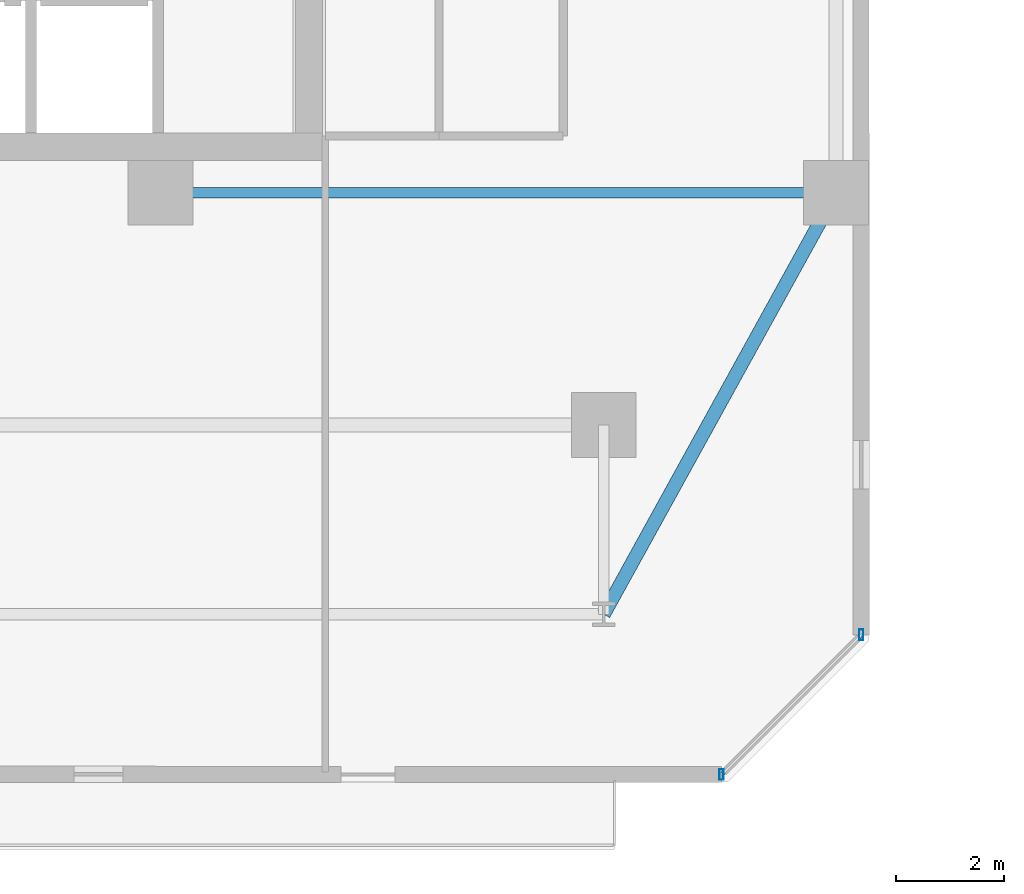
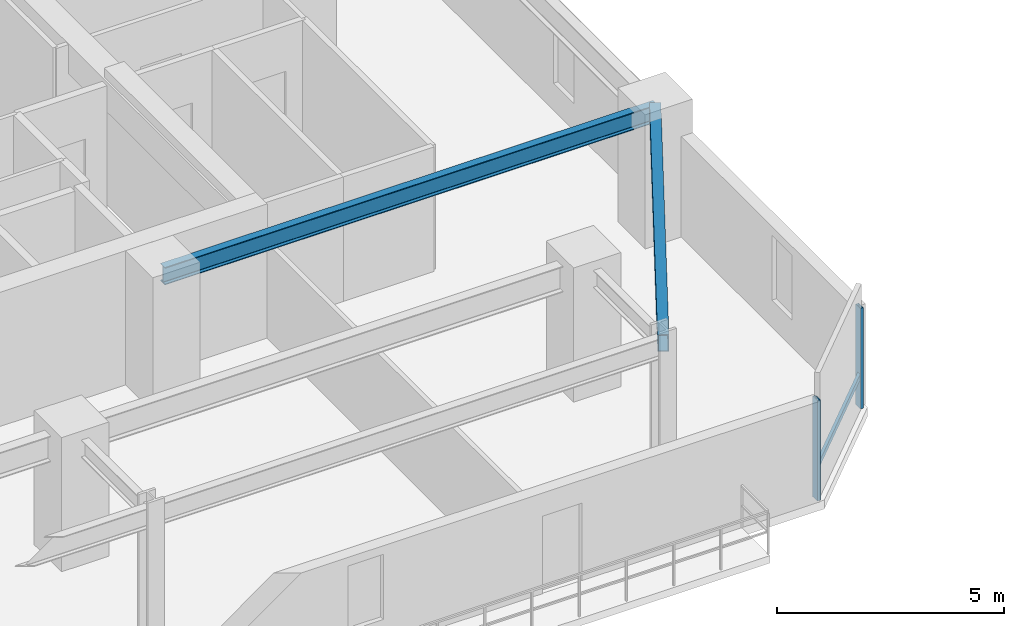
# One storey, part 5 of 33: 3 members, 2 beams, 1 element without a shape of its own.
"""IFC4 building model written with IfcOpenShell, lengths in metres."""

from ifc_helpers import new_model, si_unit, direction, frame, origin, origin_2d, place, context, subcontext, project, spatial, hollow_rectangle, i_section, extrude, material, material_profile, profile_set, type_object, element, aggregate, save


model = new_model("IFC4")

# Units and contexts
model_context = context("Model", 3, precision=1e-05, world=origin(), true_north=direction((0.0, 1.0)))
body_context = subcontext(model_context, "Body", "Model", "MODEL_VIEW")
ifc_project = project(units=[si_unit("LENGTHUNIT", "METRE"), si_unit("AREAUNIT", "SQUARE_METRE"), si_unit("VOLUMEUNIT", "CUBIC_METRE"), si_unit("PLANEANGLEUNIT", "RADIAN"), si_unit("MASSUNIT", "GRAM", prefix="KILO")], contexts=[model_context])

# Site, building, storey
site_placement = place(None, origin())
site = spatial("IfcSite", under=ifc_project, at=site_placement, CompositionType="ELEMENT")
building_placement = place(site_placement, origin())
building = spatial("IfcBuilding", under=site, at=building_placement, Name="Thornwick Lancets Civic Towers", CompositionType="ELEMENT")
storey_placement = place(building_placement, frame((0.0, 0.0, 134.10009765625)))
storey = spatial("IfcBuildingStorey", under=building, at=storey_placement, Name="L35", CompositionType="ELEMENT", Elevation=134.10009765625)

# Beams
ifc_material_1 = material(Name="Steel S355JR", Category="steel")
ifc_material_profile_1 = material_profile(ifc_material_1, i_section(OverallWidth=0.19287109375, OverallDepth=0.46728515625, WebThickness=0.011474609375, FlangeThickness=0.01953125, FilletRadius=0.01025390625, at=origin_2d()), Name="UKB 457x191x98")
ifc_profile_set_1 = profile_set([ifc_material_profile_1], Name="Steel S355JR")
beam_type_1 = type_object("IfcBeamType", Name="BM_JOIST_457_98", PredefinedType="JOIST", material=ifc_profile_set_1)
beam_1_placement = place(storey_placement, frame((30.300048828125, 14.0, 3.126220703125), z_axis=(1.0, 0.0, 0.0), x_axis=(0.0, 1.0, 0.0)))
element("IfcBeam", 1, at=beam_1_placement, inside=storey, type_object=beam_type_1, Name="BM-RADIN-L35-A04", PredefinedType="JOIST", context=body_context, shape_type="SweptSolid", body=[
    extrude(i_section(OverallWidth=0.19287109375, OverallDepth=0.46728515625, WebThickness=0.011474609375, FlangeThickness=0.01953125, FilletRadius=0.01025390625, at=origin_2d()), origin(), (0.0, 0.0, 1.0), 12.5),
])
ifc_material_profile_2 = material_profile(ifc_material_1, hollow_rectangle(XDim=0.25, YDim=0.449951171875, WallThickness=0.01611328125, at=origin_2d()), Name="RHS 450x250x16")
ifc_profile_set_2 = profile_set([ifc_material_profile_2], Name="Steel S355JR")
beam_type_2 = type_object("IfcBeamType", Name="BM_RING_RHS450", PredefinedType="BEAM", material=ifc_profile_set_2)
beam_2_placement = place(storey_placement, frame((38.5, 6.199951171875, 3.135009765625), z_axis=(0.482782395749, 0.875740348708, 0.0), x_axis=(-0.875740348708, 0.482782395749, 0.0)))
element("IfcBeam", 2, at=beam_2_placement, inside=storey, type_object=beam_type_2, Name="BM-CHAMF-L35-A-C0", PredefinedType="BEAM", context=body_context, shape_type="SweptSolid", body=[
    extrude(hollow_rectangle(XDim=0.25, YDim=0.449951171875, WallThickness=0.01611328125, at=origin_2d()), origin(), (0.0, 0.0, 1.0), 8.90673828125),
])

# Curtain wall, members
ifc_material_2 = material(Name="Mid-zone chamfered-corner unitised glass curtain wall", Category="glass")
curtain_wall_type = type_object("IfcCurtainWallType", Name="CW_SYS_04", PredefinedType="NOTDEFINED", material=ifc_material_2)
curtain_wall_placement = place(storey_placement, origin())
curtain_wall = element("IfcCurtainWall", 3, at=curtain_wall_placement, inside=storey, type_object=curtain_wall_type, Name="L35 Curtain Wall CW-L35-A-E1", PredefinedType="NOTDEFINED")
ifc_material_3 = material(Name="Thermally broken bronze aluminium S355", Category="steel")
ifc_material_profile_3 = material_profile(ifc_material_3, hollow_rectangle(XDim=0.080078125, YDim=0.199951171875, WallThickness=0.006103515625, at=origin_2d()), Name="RHS 200x80x6")
ifc_profile_set_3 = profile_set([ifc_material_profile_3], Name="Thermally broken bronze aluminium S355")
member_type_1 = type_object("IfcMemberType", Name="CW_MUL_200", PredefinedType="MULLION", material=ifc_profile_set_3)
member_1_placement = place(storey_placement, frame((40.681396484375, 3.2353515625, 0.0), z_axis=(0.0, 0.0, 1.0), x_axis=(1.0, 0.0, 0.0)))
member_1 = element("IfcMember", 4, at=member_1_placement, type_object=member_type_1, Name="CW-L35-A-E1 Mullion 0", PredefinedType="MULLION", context=body_context, shape_type="SweptSolid", body=[
    extrude(hollow_rectangle(XDim=0.080078125, YDim=0.199951171875, WallThickness=0.006103515625, at=origin_2d()), origin(), (0.0, 0.0, 1.0), 2.699951171875),
])
member_2_placement = place(storey_placement, frame((43.2646484375, 5.818603515625, 0.0), z_axis=(0.0, 0.0, 1.0), x_axis=(1.0, 0.0, 0.0)))
member_2 = element("IfcMember", 5, at=member_2_placement, type_object=member_type_1, Name="CW-L35-A-E1 Mullion 1", PredefinedType="MULLION", context=body_context, shape_type="SweptSolid", body=[
    extrude(hollow_rectangle(XDim=0.080078125, YDim=0.199951171875, WallThickness=0.006103515625, at=origin_2d()), origin(), (0.0, 0.0, 1.0), 2.699951171875),
])
ifc_material_profile_4 = material_profile(ifc_material_3, hollow_rectangle(XDim=0.074951171875, YDim=0.14990234375, WallThickness=0.0048828125, at=origin_2d()), Name="RHS 150x75x5")
ifc_profile_set_4 = profile_set([ifc_material_profile_4], Name="Thermally broken bronze aluminium S355")
member_type_2 = type_object("IfcMemberType", Name="CW_TRN_150", PredefinedType="USERDEFINED", material=ifc_profile_set_4)
member_3_placement = place(storey_placement, frame((40.695556640625, 3.24951171875, 0.849853515625), z_axis=(0.707106781187, 0.707106781187, 0.0), x_axis=(-0.707106781187, 0.707106781187, 0.0)))
member_3 = element("IfcMember", 6, at=member_3_placement, type_object=member_type_2, Name="CW-L35-A-E1 Transom 0", ObjectType="TRANSOM", PredefinedType="USERDEFINED", context=body_context, shape_type="SweptSolid", body=[
    extrude(hollow_rectangle(XDim=0.074951171875, YDim=0.14990234375, WallThickness=0.0048828125, at=origin_2d()), origin(), (0.0, 0.0, 1.0), 3.61328125),
])
aggregate(curtain_wall, [member_1, member_2, member_3])

save(model, "model.ifc")
